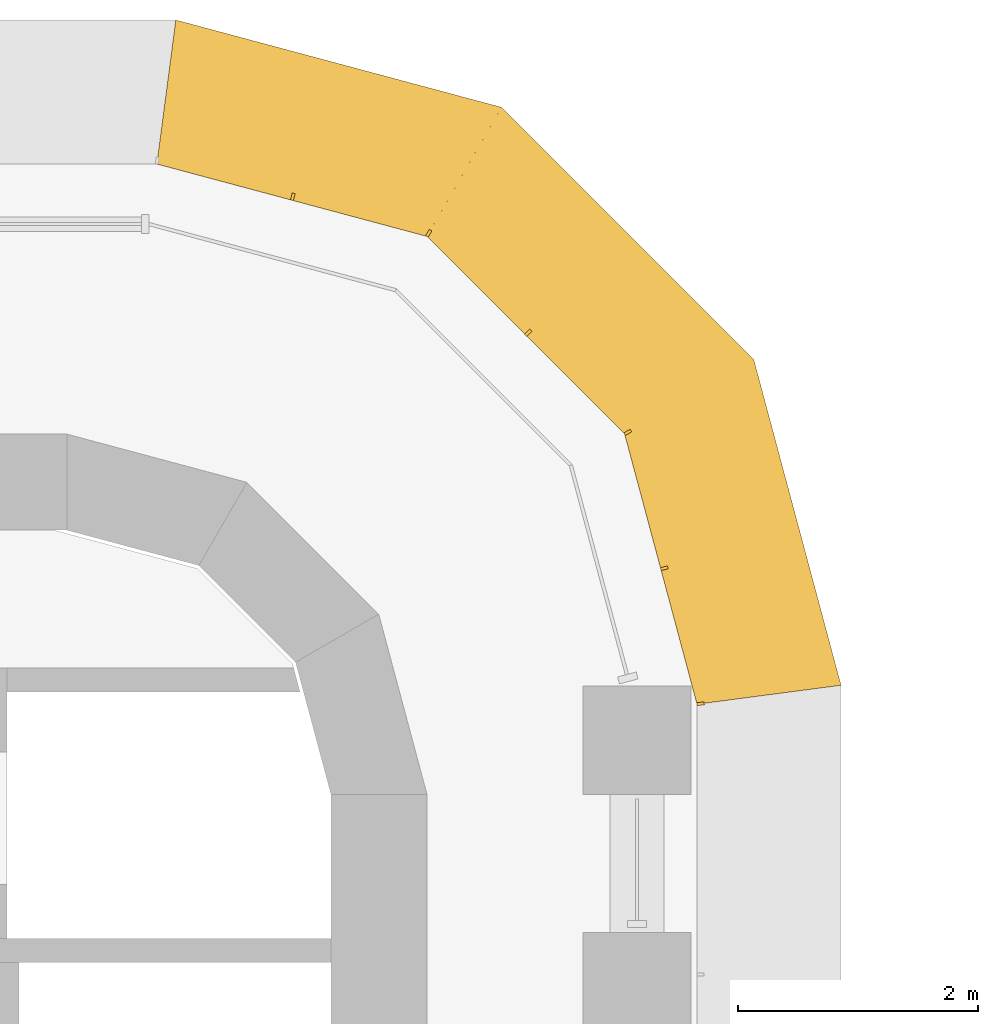
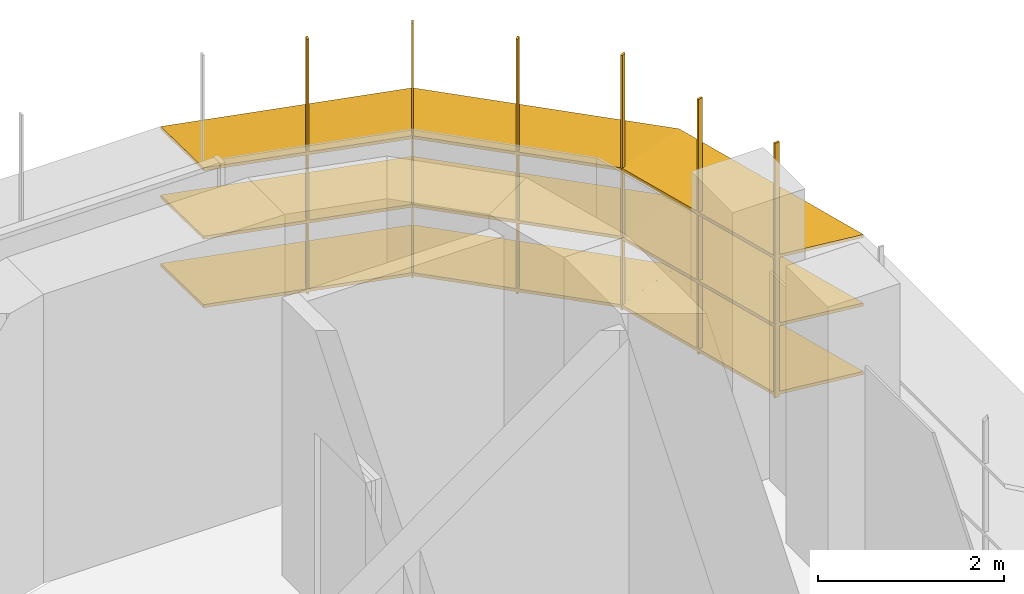
# One storey, part 22 of 22: 1 shading device.
"""IFC4 building model written with IfcOpenShell, lengths in metres."""

from ifc_helpers import new_model, si_unit, direction, frame, origin, place, context, subcontext, project, spatial, polyline, outline, extrude, faceted_brep, source, transform, mapped, material, type_object, element, save


model = new_model("IFC4")

# Units and contexts
model_context = context("Model", 3, precision=1e-05, world=origin(), true_north=direction((0.0, 1.0)))
body_context = subcontext(model_context, "Body", "Model", "MODEL_VIEW")
ifc_project = project(units=[si_unit("LENGTHUNIT", "METRE"), si_unit("AREAUNIT", "SQUARE_METRE"), si_unit("VOLUMEUNIT", "CUBIC_METRE"), si_unit("PLANEANGLEUNIT", "RADIAN"), si_unit("MASSUNIT", "GRAM", prefix="KILO")], contexts=[model_context])

# Site, building, storey
site_placement = place(None, origin())
site = spatial("IfcSite", under=ifc_project, at=site_placement, CompositionType="ELEMENT")
building_placement = place(site_placement, origin())
building = spatial("IfcBuilding", under=site, at=building_placement, Name="Zarbagh Exchange Tower", CompositionType="ELEMENT")
storey_placement = place(building_placement, frame((0.0, 0.0, 132.199951171875)))
storey = spatial("IfcBuildingStorey", under=building, at=storey_placement, Name="L31", CompositionType="ELEMENT", Elevation=132.199951171875)

# Shading device
ifc_material = material(Name="Anodised aluminium blades and brackets", Category="aluminium")
shading_device_type = type_object("IfcShadingDeviceType", Name="SUNSHADE louvre band, 11.25 degree blades", PredefinedType="JALOUSIE", material=ifc_material)
shared_shape_1 = source(origin(), body_context, "Body", "Brep", [
    faceted_brep([(0.0, 0.0, 0.0), (0.0, 0.0, -0.040771484375), (-0.157958984375, -1.199951171875, -0.279541015625), (-0.157958984375, -1.199951171875, -0.23876953125), (2.65087890625, -1.199951171875, -0.23876953125), (2.65087890625, -1.199951171875, -0.279541015625), (2.329345703125, 0.0, -0.040771484375), (2.329345703125, 0.0, 0.0)], [[[0, 1, 2, 3]], [[4, 5, 6, 7]], [[0, 7, 6, 1]], [[1, 6, 5, 2]], [[2, 5, 4, 3]], [[3, 4, 7, 0]]]),
])
shared_shape_2 = source(origin(), body_context, "Body", "Brep", [
    faceted_brep([(0.0, 0.0, 0.0), (0.0, 0.0, -0.040771484375), (-0.321533203125, -1.199951171875, -0.279541015625), (-0.321533203125, -1.199951171875, -0.23876953125), (2.65087890625, -1.199951171875, -0.23876953125), (2.65087890625, -1.199951171875, -0.279541015625), (2.329345703125, 0.0, -0.040771484375), (2.329345703125, 0.0, 0.0)], [[[0, 1, 2, 3]], [[4, 5, 6, 7]], [[0, 7, 6, 1]], [[1, 6, 5, 2]], [[2, 5, 4, 3]], [[3, 4, 7, 0]]]),
])
shared_shape_3 = source(origin(), body_context, "Body", "Brep", [
    faceted_brep([(0.0, 0.0, 0.0), (0.0, 0.0, -0.040771484375), (-0.321533203125, -1.199951171875, -0.279541015625), (-0.321533203125, -1.199951171875, -0.23876953125), (2.4873046875, -1.199951171875, -0.23876953125), (2.4873046875, -1.199951171875, -0.279541015625), (2.329345703125, 0.0, -0.040771484375), (2.329345703125, 0.0, 0.0)], [[[0, 1, 2, 3]], [[4, 5, 6, 7]], [[0, 7, 6, 1]], [[1, 6, 5, 2]], [[2, 5, 4, 3]], [[3, 4, 7, 0]]]),
])
shared_shape_4 = source(origin(), body_context, "Body", "SweptSolid", [
    extrude(outline(polyline([(0.0, -0.012451171875), (0.06005859375, -0.012451171875), (0.06005859375, 0.012451171875), (0.0, 0.012451171875), (0.0, -0.012451171875)])), origin(), (0.0, 0.0, 1.0), 3.350830078125),
])
shading_device_placement = place(storey_placement, origin())
element("IfcShadingDevice", 1, at=shading_device_placement, inside=storey, type_object=shading_device_type, Name="SS26 sunshade band", PredefinedType="JALOUSIE", context=body_context, shape_type="MappedRepresentation", body=[
    mapped(shared_shape_1, transform((6.75, 27.0, 2.300048828125), x_axis=(-0.258824779902, 0.965924289636, 0.0), y_axis=(-0.965924289636, -0.258824779902, 0.0), z_axis=(0.0, 0.0, 1.0))),
    mapped(shared_shape_1, transform((6.75, 27.0, 1.400146484375), x_axis=(-0.258824779902, 0.965924289636, 0.0), y_axis=(-0.965924289636, -0.258824779902, 0.0), z_axis=(0.0, 0.0, 1.0))),
    mapped(shared_shape_1, transform((6.75, 27.0, 0.5), x_axis=(-0.258824779902, 0.965924289636, 0.0), y_axis=(-0.965924289636, -0.258824779902, 0.0), z_axis=(0.0, 0.0, 1.0))),
    mapped(shared_shape_2, transform((6.147216796875, 29.25, 2.300048828125), x_axis=(-0.707106781187, 0.707106781187, 0.0), y_axis=(-0.707106781187, -0.707106781187, 0.0), z_axis=(0.0, 0.0, 1.0))),
    mapped(shared_shape_2, transform((6.147216796875, 29.25, 1.400146484375), x_axis=(-0.707106781187, 0.707106781187, 0.0), y_axis=(-0.707106781187, -0.707106781187, 0.0), z_axis=(0.0, 0.0, 1.0))),
    mapped(shared_shape_2, transform((6.147216796875, 29.25, 0.5), x_axis=(-0.707106781187, 0.707106781187, 0.0), y_axis=(-0.707106781187, -0.707106781187, 0.0), z_axis=(0.0, 0.0, 1.0))),
    mapped(shared_shape_3, transform((4.5, 30.897216796875, 2.300048828125), x_axis=(-0.965924289636, 0.258824779902, 0.0), y_axis=(-0.258824779902, -0.965924289636, 0.0), z_axis=(0.0, 0.0, 1.0))),
    mapped(shared_shape_3, transform((4.5, 30.897216796875, 1.400146484375), x_axis=(-0.965924289636, 0.258824779902, 0.0), y_axis=(-0.258824779902, -0.965924289636, 0.0), z_axis=(0.0, 0.0, 1.0))),
    mapped(shared_shape_3, transform((4.5, 30.897216796875, 0.5), x_axis=(-0.965924289636, 0.258824779902, 0.0), y_axis=(-0.258824779902, -0.965924289636, 0.0), z_axis=(0.0, 0.0, 1.0))),
    mapped(shared_shape_4, transform((6.75, 27.0, 0.42919921875), x_axis=(0.991444457092, 0.130529263012, 0.0), y_axis=(-0.130529263012, 0.991444457092, 0.0), z_axis=(0.0, 0.0, 1.0))),
    mapped(shared_shape_4, transform((6.448486328125, 28.125, 0.42919921875), x_axis=(0.96592421511, 0.258825058029, 0.0), y_axis=(-0.258825058029, 0.96592421511, 0.0), z_axis=(0.0, 0.0, 1.0))),
    mapped(shared_shape_4, transform((6.147216796875, 29.25, 0.42919921875), x_axis=(0.866023812018, 0.50000275701, 0.0), y_axis=(-0.50000275701, 0.866023812018, 0.0), z_axis=(0.0, 0.0, 1.0))),
    mapped(shared_shape_4, transform((5.323486328125, 30.073486328125, 0.42919921875), x_axis=(0.707106781187, 0.707106781187, 0.0), y_axis=(-0.707106781187, 0.707106781187, 0.0), z_axis=(0.0, 0.0, 1.0))),
    mapped(shared_shape_4, transform((4.5, 30.897216796875, 0.42919921875), x_axis=(0.50000275701, 0.866023812018, 0.0), y_axis=(-0.866023812018, 0.50000275701, 0.0), z_axis=(0.0, 0.0, 1.0))),
    mapped(shared_shape_4, transform((3.375, 31.198486328125, 0.42919921875), x_axis=(0.258825058029, 0.96592421511, 0.0), y_axis=(-0.96592421511, 0.258825058029, 0.0), z_axis=(0.0, 0.0, 1.0))),
])

save(model, "model.ifc")
